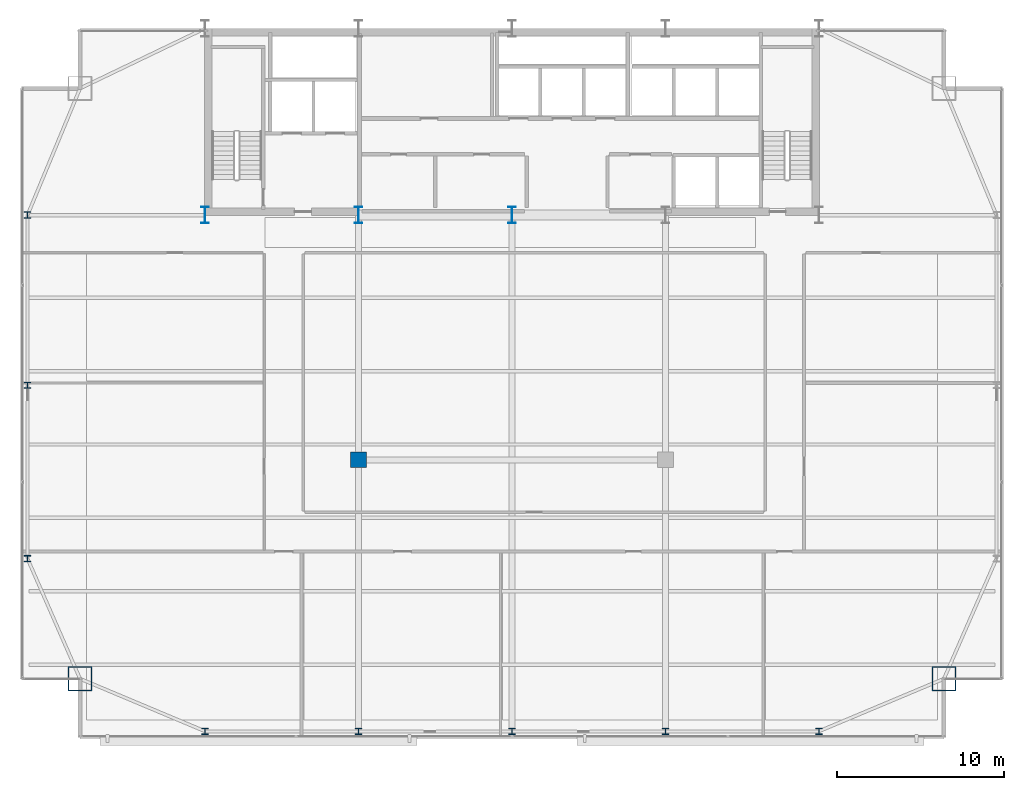
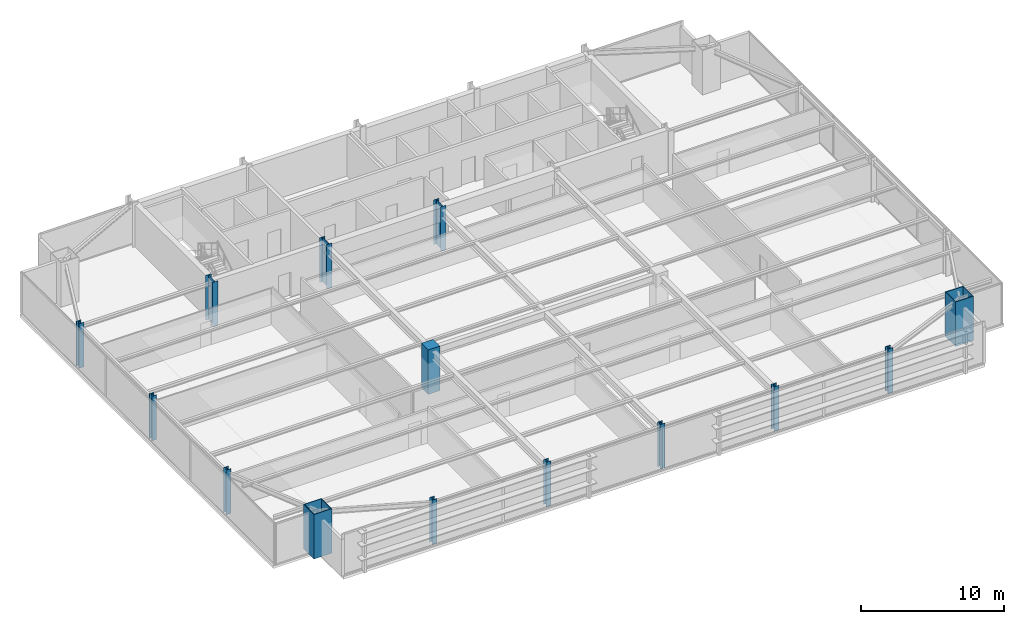
# One storey, part 1 of 33: 14 columns.
"""IFC4 building model written with IfcOpenShell, lengths in metres."""

from ifc_helpers import new_model, si_unit, direction, frame, origin, origin_2d, place, context, subcontext, project, spatial, rectangle, hollow_rectangle, i_section, extrude, source, transform, mapped, material, material_profile, profile_set, type_object, type_shapes, element, save


model = new_model("IFC4")

# Units and contexts
model_context = context("Model", 3, precision=1e-05, world=origin(), true_north=direction((0.0, 1.0)))
body_context = subcontext(model_context, "Body", "Model", "MODEL_VIEW")
ifc_project = project(units=[si_unit("LENGTHUNIT", "METRE"), si_unit("AREAUNIT", "SQUARE_METRE"), si_unit("VOLUMEUNIT", "CUBIC_METRE"), si_unit("PLANEANGLEUNIT", "RADIAN"), si_unit("MASSUNIT", "GRAM", prefix="KILO")], contexts=[model_context])

# Site, building, storey
site_placement = place(None, origin())
site = spatial("IfcSite", under=ifc_project, at=site_placement, CompositionType="ELEMENT")
building_placement = place(site_placement, origin())
building = spatial("IfcBuilding", under=site, at=building_placement, Name="Varnel Quay Broadcast Tower", CompositionType="ELEMENT")
storey_placement = place(building_placement, frame((0.0, 0.0, 129.60009765625)))
storey = spatial("IfcBuildingStorey", under=building, at=storey_placement, Name="L31", CompositionType="ELEMENT", Elevation=129.60009765625)

# Columns
ifc_material_1 = material(Name="Structural Steel CSA G40.21 350WT", Category="steel")
ifc_material_profile_1 = material_profile(ifc_material_1, i_section(OverallWidth=0.449951171875, OverallDepth=1.0, WebThickness=0.01611328125, FlangeThickness=0.030029296875, FilletRadius=0.01611328125, at=origin_2d()), Name="WWF1000X362")
ifc_profile_set_1 = profile_set([ifc_material_profile_1], Name="Structural Steel CSA G40.21 350WT")
column_type_1 = type_object("IfcColumnType", Name="Col_WWF1000X362", PredefinedType="COLUMN", material=ifc_profile_set_1)
shared_shape_1 = source(origin(), body_context, "Body", "SweptSolid", [
    extrude(i_section(OverallWidth=0.449951171875, OverallDepth=1.0, WebThickness=0.01611328125, FlangeThickness=0.030029296875, FilletRadius=0.01611328125, at=origin_2d()), origin(), (0.0, 0.0, 1.0), 3.7998046875),
])
type_shapes(column_type_1, [shared_shape_1])
for number, where, z_axis, x_axis, name in (
    (1, (15.60009765625, 35.60009765625, 0.0), (0.0, 0.0, 1.0), (1.0, 0.0, 0.0), "L31 Column CC-S1"),
    (2, (24.800048828125, 35.60009765625, 0.0), (0.0, 0.0, 1.0), (1.0, 0.0, 0.0), "L31 Column CC-S2"),
    (3, (34.0, 35.60009765625, 0.0), (0.0, 0.0, 1.0), (1.0, 0.0, 0.0), "L31 Column CC-S3"),
):
    element("IfcColumn", number, at=place(storey_placement, frame(where, z_axis=z_axis, x_axis=x_axis)), inside=storey, type_object=column_type_1, Name=name, PredefinedType="COLUMN", context=body_context, shape_type="MappedRepresentation", body=[
        mapped(shared_shape_1, transform((0.0, 0.0, 0.0), x_axis=(1.0, 0.0, 0.0), y_axis=(0.0, 1.0, 0.0), z_axis=(0.0, 0.0, 1.0), scale=1.0)),
    ])
ifc_material_profile_2 = material_profile(ifc_material_1, hollow_rectangle(XDim=1.449951171875, YDim=1.449951171875, WallThickness=0.054931640625, at=origin_2d()), Name="BOX1450X1450X55")
ifc_profile_set_2 = profile_set([ifc_material_profile_2], Name="Structural Steel CSA G40.21 350WT")
column_type_2 = type_object("IfcColumnType", Name="Col_BOX1450X1450X55", PredefinedType="COLUMN", material=ifc_profile_set_2)
shared_shape_2 = source(origin(), body_context, "Body", "SweptSolid", [
    extrude(hollow_rectangle(XDim=1.449951171875, YDim=1.449951171875, WallThickness=0.054931640625, at=origin_2d()), origin(), (0.0, 0.0, 1.0), 3.7998046875),
])
type_shapes(column_type_2, [shared_shape_2])
for number, where, z_axis, x_axis, name in (
    (4, (8.10009765625, 7.800048828125, 0.0), (0.0, 0.0, 1.0), (1.0, 0.0, 0.0), "L31 Column MC-SW"),
    (5, (59.89990234375, 7.800048828125, 0.0), (0.0, 0.0, 1.0), (1.0, 0.0, 0.0), "L31 Column MC-SE"),
):
    element("IfcColumn", number, at=place(storey_placement, frame(where, z_axis=z_axis, x_axis=x_axis)), inside=storey, type_object=column_type_2, Name=name, PredefinedType="COLUMN", context=body_context, shape_type="MappedRepresentation", body=[
        mapped(shared_shape_2, transform((0.0, 0.0, 0.0), x_axis=(1.0, 0.0, 0.0), y_axis=(0.0, 1.0, 0.0), z_axis=(0.0, 0.0, 1.0), scale=1.0)),
    ])
ifc_material_2 = material(Name="Structural Steel CSA G40.21 350W", Category="steel")
ifc_material_profile_3 = material_profile(ifc_material_2, i_section(OverallWidth=0.39794921875, OverallDepth=0.386962890625, WebThickness=0.02099609375, FlangeThickness=0.033203125, FilletRadius=0.01806640625, at=origin_2d()), Name="W360X262")
ifc_profile_set_3 = profile_set([ifc_material_profile_3], Name="Structural Steel CSA G40.21 350W")
column_type_3 = type_object("IfcColumnType", Name="Col_W360X262", PredefinedType="COLUMN", material=ifc_profile_set_3)
shared_shape_3 = source(origin(), body_context, "Body", "SweptSolid", [
    extrude(i_section(OverallWidth=0.39794921875, OverallDepth=0.386962890625, WebThickness=0.02099609375, FlangeThickness=0.033203125, FilletRadius=0.01806640625, at=origin_2d()), origin(), (0.0, 0.0, 1.0), 3.7998046875),
])
type_shapes(column_type_3, [shared_shape_3])
for number, where, z_axis, x_axis, name in (
    (6, (15.60009765625, 4.64990234375, 0.0), (0.0, 0.0, 1.0), (1.0, 0.0, 0.0), "L31 Column TC-S1"),
    (7, (24.800048828125, 4.64990234375, 0.0), (0.0, 0.0, 1.0), (1.0, 0.0, 0.0), "L31 Column TC-S2"),
    (8, (34.0, 4.64990234375, 0.0), (0.0, 0.0, 1.0), (1.0, 0.0, 0.0), "L31 Column TC-S3"),
    (9, (43.199951171875, 4.64990234375, 0.0), (0.0, 0.0, 1.0), (1.0, 0.0, 0.0), "L31 Column TC-S4"),
    (10, (52.39990234375, 4.64990234375, 0.0), (0.0, 0.0, 1.0), (1.0, 0.0, 0.0), "L31 Column TC-S5"),
    (11, (4.949951171875, 15.0, 0.0), (0.0, 0.0, 1.0), (1.0, 0.0, 0.0), "L31 Column TC-W1"),
    (12, (4.949951171875, 25.39990234375, 0.0), (0.0, 0.0, 1.0), (1.0, 0.0, 0.0), "L31 Column TC-W2"),
    (13, (4.949951171875, 35.60009765625, 0.0), (0.0, 0.0, 1.0), (1.0, 0.0, 0.0), "L31 Column TC-W3"),
):
    element("IfcColumn", number, at=place(storey_placement, frame(where, z_axis=z_axis, x_axis=x_axis)), inside=storey, type_object=column_type_3, Name=name, PredefinedType="COLUMN", context=body_context, shape_type="MappedRepresentation", body=[
        mapped(shared_shape_3, transform((0.0, 0.0, 0.0), x_axis=(1.0, 0.0, 0.0), y_axis=(0.0, 1.0, 0.0), z_axis=(0.0, 0.0, 1.0), scale=1.0)),
    ])
ifc_material_3 = material(Name="Concrete CSA A23.3 C50/60", Category="concrete")
ifc_material_profile_4 = material_profile(ifc_material_3, rectangle(XDim=0.949951171875, YDim=0.949951171875, at=origin_2d()), Name="RC950X950")
ifc_profile_set_4 = profile_set([ifc_material_profile_4], Name="Concrete CSA A23.3 C50/60")
column_type_4 = type_object("IfcColumnType", Name="Col_RC950X950", PredefinedType="COLUMN", material=ifc_profile_set_4)
shared_shape_4 = source(origin(), body_context, "Body", "SweptSolid", [
    extrude(rectangle(XDim=0.949951171875, YDim=0.949951171875, at=origin_2d()), origin(), (0.0, 0.0, 1.0), 3.7998046875),
])
type_shapes(column_type_4, [shared_shape_4])
column_placement = place(storey_placement, frame((24.800048828125, 20.929931640625, 0.0), z_axis=(0.0, 0.0, 1.0), x_axis=(1.0, 0.0, 0.0)))
element("IfcColumn", 14, at=column_placement, inside=storey, type_object=column_type_4, Name="L31 Column IC-01", PredefinedType="COLUMN", context=body_context, shape_type="MappedRepresentation", body=[
    mapped(shared_shape_4, transform((0.0, 0.0, 0.0), x_axis=(1.0, 0.0, 0.0), y_axis=(0.0, 1.0, 0.0), z_axis=(0.0, 0.0, 1.0), scale=1.0)),
])

save(model, "model.ifc")
